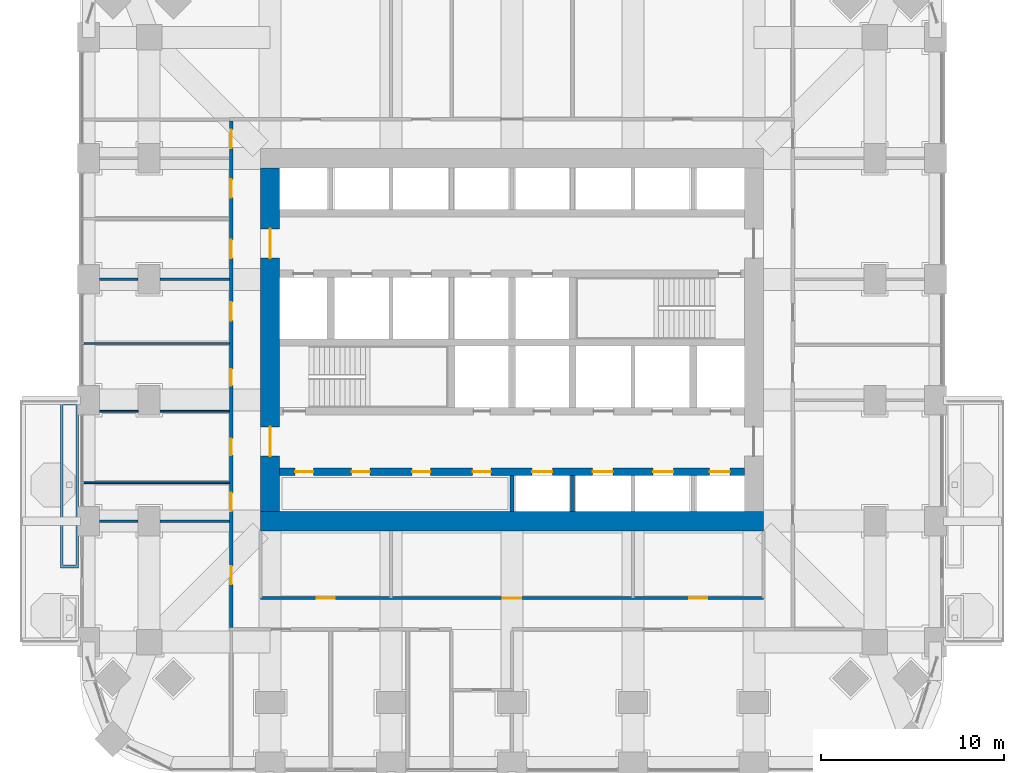
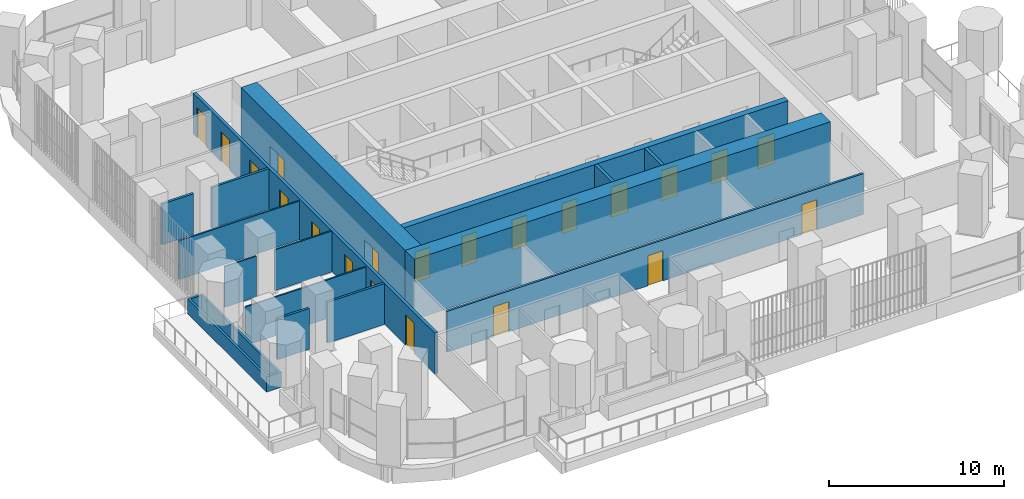
# One storey, part 13 of 21: 21 doors, 16 walls, 21 openings.
"""IFC4 building model written with IfcOpenShell, lengths in metres."""

from ifc_helpers import new_model, si_unit, direction, frame, frame_2d, origin, place, context, subcontext, project, spatial, polyline, rectangle, outline, extrude, material, layer, layer_set, type_object, element, fill, save


model = new_model("IFC4")

# Units and contexts
model_context = context("Model", 3, precision=1e-05, world=origin(), true_north=direction((0.0, 1.0)))
body_context = subcontext(model_context, "Body", "Model", "MODEL_VIEW")
ifc_project = project(units=[si_unit("LENGTHUNIT", "METRE"), si_unit("AREAUNIT", "SQUARE_METRE"), si_unit("VOLUMEUNIT", "CUBIC_METRE"), si_unit("PLANEANGLEUNIT", "RADIAN"), si_unit("MASSUNIT", "GRAM", prefix="KILO")], contexts=[model_context])

# Site, building, storey
site_placement = place(None, origin())
site = spatial("IfcSite", under=ifc_project, at=site_placement, CompositionType="ELEMENT")
building_placement = place(site_placement, origin())
building = spatial("IfcBuilding", under=site, at=building_placement, Name="Cobogo Forest Laboratory Tower", CompositionType="ELEMENT")
storey_placement = place(building_placement, frame((0.0, 0.0, 90.60009765625)))
storey = spatial("IfcBuildingStorey", under=building, at=storey_placement, Name="L20", CompositionType="ELEMENT", Elevation=90.60009765625)

# Wall, openings, doors
ifc_material_1 = material(Name="Concrete HA-50 (C50/60)", Category="concrete")
ifc_layer_1 = layer(ifc_material_1, 0.39990234375)
ifc_layer_set_1 = layer_set([ifc_layer_1], Name="CI400 core inner wall 400")
wall_type_1 = type_object("IfcWallType", Name="CI400 core inner wall 400", PredefinedType="SHEAR", material=ifc_layer_set_1)
wall_1_placement = place(storey_placement, frame((13.72509765625, 15.89990234375, 0.0), z_axis=(0.0, 0.0, 1.0), x_axis=(1.0, 0.0, 0.0)))
wall_1 = element("IfcWall", 1, at=wall_1_placement, inside=storey, type_object=wall_type_1, Name="Core wall CI-15.9 L20", PredefinedType="SHEAR", context=body_context, shape_type="SweptSolid", body=[
    extrude(rectangle(XDim=25.349853515625, YDim=0.39990234375, at=frame_2d((12.6748046875, 0.0))), origin(), (0.0, 0.0, 1.0), 4.199951171875),
])
opening_1_placement = place(wall_1_placement, frame((0.83740234375, 0.0, 0.0)))
opening_1 = element("IfcOpeningElement", 2, at=opening_1_placement, cuts=wall_1, Name="Opening L20-D15", PredefinedType="OPENING", context=body_context, shape_type="SweptSolid", body=[
    extrude(rectangle(XDim=1.0, YDim=2.10009765625, at=frame_2d((0.5, 1.050048828125))), frame((0.0, 0.2099609375, 0.0), z_axis=(0.0, -1.0, 0.0), x_axis=(1.0, 0.0, 0.0)), (0.0, 0.0, 1.0), 0.419921875),
])
opening_2_placement = place(wall_1_placement, frame((3.925048828125, 0.0, 0.0)))
opening_2 = element("IfcOpeningElement", 3, at=opening_2_placement, cuts=wall_1, Name="Opening L20-D16", PredefinedType="OPENING", context=body_context, shape_type="SweptSolid", body=[
    extrude(rectangle(XDim=1.0, YDim=2.10009765625, at=frame_2d((0.5, 1.050048828125))), frame((0.0, 0.2099609375, 0.0), z_axis=(0.0, -1.0, 0.0), x_axis=(1.0, 0.0, 0.0)), (0.0, 0.0, 1.0), 0.419921875),
])
opening_3_placement = place(wall_1_placement, frame((7.22509765625, 0.0, 0.0)))
opening_3 = element("IfcOpeningElement", 4, at=opening_3_placement, cuts=wall_1, Name="Opening L20-D17", PredefinedType="OPENING", context=body_context, shape_type="SweptSolid", body=[
    extrude(rectangle(XDim=1.0, YDim=2.10009765625, at=frame_2d((0.5, 1.050048828125))), frame((0.0, 0.2099609375, 0.0), z_axis=(0.0, -1.0, 0.0), x_axis=(1.0, 0.0, 0.0)), (0.0, 0.0, 1.0), 0.419921875),
])
opening_4_placement = place(wall_1_placement, frame((10.52490234375, 0.0, 0.0)))
opening_4 = element("IfcOpeningElement", 5, at=opening_4_placement, cuts=wall_1, Name="Opening L20-D18", PredefinedType="OPENING", context=body_context, shape_type="SweptSolid", body=[
    extrude(rectangle(XDim=1.0, YDim=2.10009765625, at=frame_2d((0.5, 1.050048828125))), frame((0.0, 0.2099609375, 0.0), z_axis=(0.0, -1.0, 0.0), x_axis=(1.0, 0.0, 0.0)), (0.0, 0.0, 1.0), 0.419921875),
])
opening_5_placement = place(wall_1_placement, frame((13.77490234375, 0.0, 0.0)))
opening_5 = element("IfcOpeningElement", 6, at=opening_5_placement, cuts=wall_1, Name="Opening L20-LD-LB1", PredefinedType="OPENING", context=body_context, shape_type="SweptSolid", body=[
    extrude(rectangle(XDim=1.10009765625, YDim=2.10009765625, at=frame_2d((0.550048828125, 1.050048828125))), frame((0.0, 0.2099609375, 0.0), z_axis=(0.0, -1.0, 0.0), x_axis=(1.0, 0.0, 0.0)), (0.0, 0.0, 1.0), 0.419921875),
])
opening_6_placement = place(wall_1_placement, frame((17.074951171875, 0.0, 0.0)))
opening_6 = element("IfcOpeningElement", 7, at=opening_6_placement, cuts=wall_1, Name="Opening L20-LD-LB2", PredefinedType="OPENING", context=body_context, shape_type="SweptSolid", body=[
    extrude(rectangle(XDim=1.10009765625, YDim=2.10009765625, at=frame_2d((0.550048828125, 1.050048828125))), frame((0.0, 0.2099609375, 0.0), z_axis=(0.0, -1.0, 0.0), x_axis=(1.0, 0.0, 0.0)), (0.0, 0.0, 1.0), 0.419921875),
])
opening_7_placement = place(wall_1_placement, frame((20.375, 0.0, 0.0)))
opening_7 = element("IfcOpeningElement", 8, at=opening_7_placement, cuts=wall_1, Name="Opening L20-LD-LB3", PredefinedType="OPENING", context=body_context, shape_type="SweptSolid", body=[
    extrude(rectangle(XDim=1.10009765625, YDim=2.10009765625, at=frame_2d((0.550048828125, 1.050048828125))), frame((0.0, 0.2099609375, 0.0), z_axis=(0.0, -1.0, 0.0), x_axis=(1.0, 0.0, 0.0)), (0.0, 0.0, 1.0), 0.419921875),
])
opening_8_placement = place(wall_1_placement, frame((23.46240234375, 0.0, 0.0)))
opening_8 = element("IfcOpeningElement", 9, at=opening_8_placement, cuts=wall_1, Name="Opening L20-LD-LB4", PredefinedType="OPENING", context=body_context, shape_type="SweptSolid", body=[
    extrude(rectangle(XDim=1.10009765625, YDim=2.10009765625, at=frame_2d((0.550048828125, 1.050048828125))), frame((0.0, 0.2099609375, 0.0), z_axis=(0.0, -1.0, 0.0), x_axis=(1.0, 0.0, 0.0)), (0.0, 0.0, 1.0), 0.419921875),
])
ifc_material_2 = material(Name="Steel fire door", Category="steel")
door_type_1 = type_object("IfcDoorType", Name="FD1 fire door 1000 EI2 60", OperationType="SINGLE_SWING_LEFT", PredefinedType="DOOR", material=ifc_material_2)
door_1_placement = place(opening_1_placement, origin())
door_1 = element("IfcDoor", 10, at=door_1_placement, inside=storey, type_object=door_type_1, Name="Door L20-SH-LA1", OperationType="SINGLE_SWING_LEFT", OverallHeight=2.10009765625, OverallWidth=1.0, PredefinedType="DOOR", context=body_context, shape_type="SweptSolid", body=[
    extrude(rectangle(XDim=1.0, YDim=2.10009765625, at=frame_2d((0.5, 1.050048828125))), frame((0.0, 0.02490234375, 0.0), z_axis=(0.0, -1.0, 0.0), x_axis=(1.0, 0.0, 0.0)), (0.0, 0.0, 1.0), 0.050048828125),
])
fill(opening_1, door_1)
door_2_placement = place(opening_2_placement, origin())
door_2 = element("IfcDoor", 11, at=door_2_placement, inside=storey, type_object=door_type_1, Name="Door L20-SH-LA2", OperationType="SINGLE_SWING_LEFT", OverallHeight=2.10009765625, OverallWidth=1.0, PredefinedType="DOOR", context=body_context, shape_type="SweptSolid", body=[
    extrude(rectangle(XDim=1.0, YDim=2.10009765625, at=frame_2d((0.5, 1.050048828125))), frame((0.0, 0.02490234375, 0.0), z_axis=(0.0, -1.0, 0.0), x_axis=(1.0, 0.0, 0.0)), (0.0, 0.0, 1.0), 0.050048828125),
])
fill(opening_2, door_2)
door_3_placement = place(opening_3_placement, origin())
door_3 = element("IfcDoor", 12, at=door_3_placement, inside=storey, type_object=door_type_1, Name="Door L20-SH-LA3", OperationType="SINGLE_SWING_LEFT", OverallHeight=2.10009765625, OverallWidth=1.0, PredefinedType="DOOR", context=body_context, shape_type="SweptSolid", body=[
    extrude(rectangle(XDim=1.0, YDim=2.10009765625, at=frame_2d((0.5, 1.050048828125))), frame((0.0, 0.02490234375, 0.0), z_axis=(0.0, -1.0, 0.0), x_axis=(1.0, 0.0, 0.0)), (0.0, 0.0, 1.0), 0.050048828125),
])
fill(opening_3, door_3)
door_4_placement = place(opening_4_placement, origin())
door_4 = element("IfcDoor", 13, at=door_4_placement, inside=storey, type_object=door_type_1, Name="Door L20-SH-LA4", OperationType="SINGLE_SWING_LEFT", OverallHeight=2.10009765625, OverallWidth=1.0, PredefinedType="DOOR", context=body_context, shape_type="SweptSolid", body=[
    extrude(rectangle(XDim=1.0, YDim=2.10009765625, at=frame_2d((0.5, 1.050048828125))), frame((0.0, 0.02490234375, 0.0), z_axis=(0.0, -1.0, 0.0), x_axis=(1.0, 0.0, 0.0)), (0.0, 0.0, 1.0), 0.050048828125),
])
fill(opening_4, door_4)
ifc_material_3 = material(Name="Stainless steel lift door", Category="steel")
door_type_2 = type_object("IfcDoorType", Name="LD lift landing door 1100", OperationType="DOUBLE_DOOR_SLIDING", PredefinedType="DOOR", material=ifc_material_3)
door_5_placement = place(opening_5_placement, origin())
door_5 = element("IfcDoor", 14, at=door_5_placement, inside=storey, type_object=door_type_2, Name="Lift landing door LB1 L20", OperationType="DOUBLE_DOOR_SLIDING", OverallHeight=2.10009765625, OverallWidth=1.10009765625, PredefinedType="DOOR", context=body_context, shape_type="SweptSolid", body=[
    extrude(rectangle(XDim=1.10009765625, YDim=2.10009765625, at=frame_2d((0.550048828125, 1.050048828125))), frame((0.0, 0.02490234375, 0.0), z_axis=(0.0, -1.0, 0.0), x_axis=(1.0, 0.0, 0.0)), (0.0, 0.0, 1.0), 0.050048828125),
])
fill(opening_5, door_5)
door_6_placement = place(opening_6_placement, origin())
door_6 = element("IfcDoor", 15, at=door_6_placement, inside=storey, type_object=door_type_2, Name="Lift landing door LB2 L20", OperationType="DOUBLE_DOOR_SLIDING", OverallHeight=2.10009765625, OverallWidth=1.10009765625, PredefinedType="DOOR", context=body_context, shape_type="SweptSolid", body=[
    extrude(rectangle(XDim=1.10009765625, YDim=2.10009765625, at=frame_2d((0.550048828125, 1.050048828125))), frame((0.0, 0.02490234375, 0.0), z_axis=(0.0, -1.0, 0.0), x_axis=(1.0, 0.0, 0.0)), (0.0, 0.0, 1.0), 0.050048828125),
])
fill(opening_6, door_6)
door_7_placement = place(opening_7_placement, origin())
door_7 = element("IfcDoor", 16, at=door_7_placement, inside=storey, type_object=door_type_2, Name="Lift landing door LB3 L20", OperationType="DOUBLE_DOOR_SLIDING", OverallHeight=2.10009765625, OverallWidth=1.10009765625, PredefinedType="DOOR", context=body_context, shape_type="SweptSolid", body=[
    extrude(rectangle(XDim=1.10009765625, YDim=2.10009765625, at=frame_2d((0.550048828125, 1.050048828125))), frame((0.0, 0.02490234375, 0.0), z_axis=(0.0, -1.0, 0.0), x_axis=(1.0, 0.0, 0.0)), (0.0, 0.0, 1.0), 0.050048828125),
])
fill(opening_7, door_7)
door_8_placement = place(opening_8_placement, origin())
door_8 = element("IfcDoor", 17, at=door_8_placement, inside=storey, type_object=door_type_2, Name="Lift landing door LB4 L20", OperationType="DOUBLE_DOOR_SLIDING", OverallHeight=2.10009765625, OverallWidth=1.10009765625, PredefinedType="DOOR", context=body_context, shape_type="SweptSolid", body=[
    extrude(rectangle(XDim=1.10009765625, YDim=2.10009765625, at=frame_2d((0.550048828125, 1.050048828125))), frame((0.0, 0.02490234375, 0.0), z_axis=(0.0, -1.0, 0.0), x_axis=(1.0, 0.0, 0.0)), (0.0, 0.0, 1.0), 0.050048828125),
])
fill(opening_8, door_8)

# Wall
ifc_layer_2 = layer(ifc_material_1, 1.050048828125)
ifc_layer_set_2 = layer_set([ifc_layer_2], Name="CW1050 core outer wall 1050")
wall_type_2 = type_object("IfcWallType", Name="CW1050 core outer wall 1050", PredefinedType="SHEAR", material=ifc_layer_set_2)
wall_2_placement = place(storey_placement, frame((12.675048828125, 13.199951171875, 0.0), z_axis=(0.0, 0.0, 1.0), x_axis=(1.0, 0.0, 0.0)))
element("IfcWall", 18, at=wall_2_placement, inside=storey, type_object=wall_type_2, Name="Core wall CO-S L20", PredefinedType="SHEAR", context=body_context, shape_type="SweptSolid", body=[
    extrude(rectangle(XDim=27.449951171875, YDim=1.050048828125, at=frame_2d((13.72509765625, 0.0))), origin(), (0.0, 0.0, 1.0), 4.199951171875),
])

# Wall, openings, doors
wall_3_placement = place(storey_placement, frame((13.199951171875, 32.47509765625, 0.0), z_axis=(0.0, 0.0, 1.0), x_axis=(0.0, -1.0, 0.0)))
wall_3 = element("IfcWall", 19, at=wall_3_placement, inside=storey, type_object=wall_type_2, Name="Core wall CO-W L20", PredefinedType="SHEAR", context=body_context, shape_type="SweptSolid", body=[
    extrude(rectangle(XDim=18.75, YDim=1.050048828125, at=frame_2d((9.375, 0.0))), origin(), (0.0, 0.0, 1.0), 4.199951171875),
])
opening_9_placement = place(wall_3_placement, frame((14.125, 0.0, 0.0)))
opening_9 = element("IfcOpeningElement", 20, at=opening_9_placement, cuts=wall_3, Name="Opening L20-D20", PredefinedType="OPENING", context=body_context, shape_type="SweptSolid", body=[
    extrude(rectangle(XDim=1.60009765625, YDim=2.10009765625, at=frame_2d((0.800048828125, 1.050048828125))), frame((0.0, 0.534912109375, 0.0), z_axis=(0.0, -1.0, 0.0), x_axis=(1.0, 0.0, 0.0)), (0.0, 0.0, 1.0), 1.070068359375),
])
opening_10_placement = place(wall_3_placement, frame((3.324951171875, 0.0, 0.0)))
opening_10 = element("IfcOpeningElement", 21, at=opening_10_placement, cuts=wall_3, Name="Opening L20-D31", PredefinedType="OPENING", context=body_context, shape_type="SweptSolid", body=[
    extrude(rectangle(XDim=1.60009765625, YDim=2.10009765625, at=frame_2d((0.800048828125, 1.050048828125))), frame((0.0, 0.534912109375, 0.0), z_axis=(0.0, -1.0, 0.0), x_axis=(1.0, 0.0, 0.0)), (0.0, 0.0, 1.0), 1.070068359375),
])
door_type_3 = type_object("IfcDoorType", Name="DS2 protected lobby door pair 1600 EI2 60", OperationType="DOUBLE_DOOR_DOUBLE_SWING", PredefinedType="DOOR", material=ifc_material_2)
door_9_placement = place(opening_9_placement, origin())
door_9 = element("IfcDoor", 22, at=door_9_placement, inside=storey, type_object=door_type_3, Name="Door L20-CO-W-S", OperationType="DOUBLE_DOOR_DOUBLE_SWING", OverallHeight=2.10009765625, OverallWidth=1.60009765625, PredefinedType="DOOR", context=body_context, shape_type="SweptSolid", body=[
    extrude(rectangle(XDim=1.60009765625, YDim=2.10009765625, at=frame_2d((0.800048828125, 1.050048828125))), frame((0.0, 0.02490234375, 0.0), z_axis=(0.0, -1.0, 0.0), x_axis=(1.0, 0.0, 0.0)), (0.0, 0.0, 1.0), 0.050048828125),
])
fill(opening_9, door_9)
door_10_placement = place(opening_10_placement, origin())
door_10 = element("IfcDoor", 23, at=door_10_placement, inside=storey, type_object=door_type_3, Name="Door L20-CO-W-N", OperationType="DOUBLE_DOOR_DOUBLE_SWING", OverallHeight=2.10009765625, OverallWidth=1.60009765625, PredefinedType="DOOR", context=body_context, shape_type="SweptSolid", body=[
    extrude(rectangle(XDim=1.60009765625, YDim=2.10009765625, at=frame_2d((0.800048828125, 1.050048828125))), frame((0.0, 0.02490234375, 0.0), z_axis=(0.0, -1.0, 0.0), x_axis=(1.0, 0.0, 0.0)), (0.0, 0.0, 1.0), 0.050048828125),
])
fill(opening_10, door_10)

ifc_material_4 = material(Name="Gypsum board on steel studs", Category="steel")
ifc_layer_3 = layer(ifc_material_4, 0.14990234375)
ifc_layer_set_3 = layer_set([ifc_layer_3], Name="PT1 laboratory partition 150")
wall_type_3 = type_object("IfcWallType", Name="PT1 laboratory partition 150", PredefinedType="PARTITIONING", material=ifc_layer_set_3)
wall_4_placement = place(storey_placement, frame((12.675048828125, 9.0, 0.0), z_axis=(0.0, 0.0, 1.0), x_axis=(1.0, 0.0, 0.0)))
wall_4 = element("IfcWall", 24, at=wall_4_placement, inside=storey, type_object=wall_type_3, Name="Partition CSTRIP-S L20", PredefinedType="PARTITIONING", context=body_context, shape_type="SweptSolid", body=[
    extrude(rectangle(XDim=27.449951171875, YDim=0.14990234375, at=frame_2d((13.72509765625, 0.0))), origin(), (0.0, 0.0, 1.0), 2.849853515625),
])
opening_11_placement = place(wall_4_placement, frame((3.0625, 0.0, 0.0)))
opening_11 = element("IfcOpeningElement", 25, at=opening_11_placement, cuts=wall_4, Name="Opening L20-D07", PredefinedType="OPENING", context=body_context, shape_type="SweptSolid", body=[
    extrude(rectangle(XDim=1.0, YDim=2.10009765625, at=frame_2d((0.5, 1.050048828125))), frame((0.0, 0.0849609375, 0.0), z_axis=(0.0, -1.0, 0.0), x_axis=(1.0, 0.0, 0.0)), (0.0, 0.0, 1.0), 0.169921875),
])
opening_12_placement = place(wall_4_placement, frame((13.22509765625, 0.0, 0.0)))
opening_12 = element("IfcOpeningElement", 26, at=opening_12_placement, cuts=wall_4, Name="Opening L20-D08", PredefinedType="OPENING", context=body_context, shape_type="SweptSolid", body=[
    extrude(rectangle(XDim=1.0, YDim=2.10009765625, at=frame_2d((0.5, 1.050048828125))), frame((0.0, 0.0849609375, 0.0), z_axis=(0.0, -1.0, 0.0), x_axis=(1.0, 0.0, 0.0)), (0.0, 0.0, 1.0), 0.169921875),
])
opening_13_placement = place(wall_4_placement, frame((23.387451171875, 0.0, 0.0)))
opening_13 = element("IfcOpeningElement", 27, at=opening_13_placement, cuts=wall_4, Name="Opening L20-D09", PredefinedType="OPENING", context=body_context, shape_type="SweptSolid", body=[
    extrude(rectangle(XDim=1.0, YDim=2.10009765625, at=frame_2d((0.5, 1.050048828125))), frame((0.0, 0.0849609375, 0.0), z_axis=(0.0, -1.0, 0.0), x_axis=(1.0, 0.0, 0.0)), (0.0, 0.0, 1.0), 0.169921875),
])
ifc_material_5 = material(Name="Timber fire door", Category="wood")
door_type_4 = type_object("IfcDoorType", Name="FD2 fire door 1000 EI2 30", OperationType="SINGLE_SWING_LEFT", PredefinedType="DOOR", material=ifc_material_5)
door_11_placement = place(opening_11_placement, origin())
door_11 = element("IfcDoor", 28, at=door_11_placement, inside=storey, type_object=door_type_4, Name="Door L20-CSS1", OperationType="SINGLE_SWING_LEFT", OverallHeight=2.10009765625, OverallWidth=1.0, PredefinedType="DOOR", context=body_context, shape_type="SweptSolid", body=[
    extrude(rectangle(XDim=1.0, YDim=2.10009765625, at=frame_2d((0.5, 1.050048828125))), frame((0.0, 0.02490234375, 0.0), z_axis=(0.0, -1.0, 0.0), x_axis=(1.0, 0.0, 0.0)), (0.0, 0.0, 1.0), 0.050048828125),
])
fill(opening_11, door_11)
door_12_placement = place(opening_12_placement, origin())
door_12 = element("IfcDoor", 29, at=door_12_placement, inside=storey, type_object=door_type_4, Name="Door L20-CSS2", OperationType="SINGLE_SWING_LEFT", OverallHeight=2.10009765625, OverallWidth=1.0, PredefinedType="DOOR", context=body_context, shape_type="SweptSolid", body=[
    extrude(rectangle(XDim=1.0, YDim=2.10009765625, at=frame_2d((0.5, 1.050048828125))), frame((0.0, 0.02490234375, 0.0), z_axis=(0.0, -1.0, 0.0), x_axis=(1.0, 0.0, 0.0)), (0.0, 0.0, 1.0), 0.050048828125),
])
fill(opening_12, door_12)
door_13_placement = place(opening_13_placement, origin())
door_13 = element("IfcDoor", 30, at=door_13_placement, inside=storey, type_object=door_type_4, Name="Door L20-CSS3", OperationType="SINGLE_SWING_RIGHT", OverallHeight=2.10009765625, OverallWidth=1.0, PredefinedType="DOOR", context=body_context, shape_type="SweptSolid", body=[
    extrude(rectangle(XDim=1.0, YDim=2.10009765625, at=frame_2d((0.5, 1.050048828125))), frame((0.0, 0.02490234375, 0.0), z_axis=(0.0, -1.0, 0.0), x_axis=(1.0, 0.0, 0.0)), (0.0, 0.0, 1.0), 0.050048828125),
])
fill(opening_13, door_13)

# Walls
wall_5_placement = place(storey_placement, frame((3.89990234375, 13.199951171875, 0.0), z_axis=(0.0, 0.0, 1.0), x_axis=(1.0, 0.0, 0.0)))
element("IfcWall", 31, at=wall_5_placement, inside=storey, type_object=wall_type_3, Name="Partition CUT-W13.2-1 L20", PredefinedType="PARTITIONING", context=body_context, shape_type="SweptSolid", body=[
    extrude(rectangle(XDim=2.10009765625, YDim=0.14990234375, at=frame_2d((1.050048828125, 0.0))), origin(), (0.0, 0.0, 1.0), 2.849853515625),
])
wall_6_placement = place(storey_placement, frame((7.199951171875, 13.199951171875, 0.0), z_axis=(0.0, 0.0, 1.0), x_axis=(1.0, 0.0, 0.0)))
element("IfcWall", 32, at=wall_6_placement, inside=storey, type_object=wall_type_3, Name="Partition CUT-W13.2-2 L20", PredefinedType="PARTITIONING", context=body_context, shape_type="SweptSolid", body=[
    extrude(rectangle(XDim=3.775146484375, YDim=0.14990234375, at=frame_2d((1.8876953125, 0.0))), origin(), (0.0, 0.0, 1.0), 2.849853515625),
])
wall_7_placement = place(storey_placement, frame((3.89990234375, 26.39990234375, 0.0), z_axis=(0.0, 0.0, 1.0), x_axis=(1.0, 0.0, 0.0)))
element("IfcWall", 33, at=wall_7_placement, inside=storey, type_object=wall_type_3, Name="Partition CUT-W26.4-1 L20", PredefinedType="PARTITIONING", context=body_context, shape_type="SweptSolid", body=[
    extrude(rectangle(XDim=2.10009765625, YDim=0.14990234375, at=frame_2d((1.050048828125, 0.0))), origin(), (0.0, 0.0, 1.0), 2.849853515625),
])
wall_8_placement = place(storey_placement, frame((7.199951171875, 26.39990234375, 0.0), z_axis=(0.0, 0.0, 1.0), x_axis=(1.0, 0.0, 0.0)))
element("IfcWall", 34, at=wall_8_placement, inside=storey, type_object=wall_type_3, Name="Partition CUT-W26.4-2 L20", PredefinedType="PARTITIONING", context=body_context, shape_type="SweptSolid", body=[
    extrude(rectangle(XDim=3.775146484375, YDim=0.14990234375, at=frame_2d((1.8876953125, 0.0))), origin(), (0.0, 0.0, 1.0), 2.849853515625),
])

# Wall, openings, doors
ifc_layer_4 = layer(ifc_material_4, 0.199951171875)
ifc_layer_set_4 = layer_set([ifc_layer_4], Name="PT2 fire-rated corridor partition 200")
wall_type_4 = type_object("IfcWallType", Name="PT2 fire-rated corridor partition 200", PredefinedType="PARTITIONING", material=ifc_layer_set_4)
wall_9_placement = place(storey_placement, frame((11.074951171875, 7.39990234375, 0.0), z_axis=(0.0, 0.0, 1.0), x_axis=(0.0, 1.0, 0.0)))
wall_9 = element("IfcWall", 35, at=wall_9_placement, inside=storey, type_object=wall_type_4, Name="Partition CORR-W L20", PredefinedType="PARTITIONING", context=body_context, shape_type="SweptSolid", body=[
    extrude(rectangle(XDim=27.625, YDim=0.199951171875, at=frame_2d((13.8125, 0.0))), origin(), (0.0, 0.0, 1.0), 2.849853515625),
])
opening_14_placement = place(wall_9_placement, frame((2.35009765625, 0.0, 0.0)))
opening_14 = element("IfcOpeningElement", 36, at=opening_14_placement, cuts=wall_9, Name="Opening L20-D10", PredefinedType="OPENING", context=body_context, shape_type="SweptSolid", body=[
    extrude(rectangle(XDim=1.0, YDim=2.10009765625, at=frame_2d((0.5, 1.050048828125))), frame((0.0, 0.10986328125, 0.0), z_axis=(0.0, -1.0, 0.0), x_axis=(1.0, 0.0, 0.0)), (0.0, 0.0, 1.0), 0.219970703125),
])
opening_15_placement = place(wall_9_placement, frame((6.35009765625, 0.0, 0.0)))
opening_15 = element("IfcOpeningElement", 37, at=opening_15_placement, cuts=wall_9, Name="Opening L20-D14", PredefinedType="OPENING", context=body_context, shape_type="SweptSolid", body=[
    extrude(rectangle(XDim=1.0, YDim=2.10009765625, at=frame_2d((0.5, 1.050048828125))), frame((0.0, 0.10986328125, 0.0), z_axis=(0.0, -1.0, 0.0), x_axis=(1.0, 0.0, 0.0)), (0.0, 0.0, 1.0), 0.219970703125),
])
opening_16_placement = place(wall_9_placement, frame((9.39990234375, 0.0, 0.0)))
opening_16 = element("IfcOpeningElement", 38, at=opening_16_placement, cuts=wall_9, Name="Opening L20-D19", PredefinedType="OPENING", context=body_context, shape_type="SweptSolid", body=[
    extrude(rectangle(XDim=0.89990234375, YDim=2.10009765625, at=frame_2d((0.449951171875, 1.050048828125))), frame((0.0, 0.10986328125, 0.0), z_axis=(0.0, -1.0, 0.0), x_axis=(1.0, 0.0, 0.0)), (0.0, 0.0, 1.0), 0.219970703125),
])
opening_17_placement = place(wall_9_placement, frame((13.199951171875, 0.0, 0.0)))
opening_17 = element("IfcOpeningElement", 39, at=opening_17_placement, cuts=wall_9, Name="Opening L20-D25", PredefinedType="OPENING", context=body_context, shape_type="SweptSolid", body=[
    extrude(rectangle(XDim=0.89990234375, YDim=2.10009765625, at=frame_2d((0.449951171875, 1.050048828125))), frame((0.0, 0.10986328125, 0.0), z_axis=(0.0, -1.0, 0.0), x_axis=(1.0, 0.0, 0.0)), (0.0, 0.0, 1.0), 0.219970703125),
])
opening_18_placement = place(wall_9_placement, frame((16.75, 0.0, 0.0)))
opening_18 = element("IfcOpeningElement", 40, at=opening_18_placement, cuts=wall_9, Name="Opening L20-D28", PredefinedType="OPENING", context=body_context, shape_type="SweptSolid", body=[
    extrude(rectangle(XDim=1.0, YDim=2.10009765625, at=frame_2d((0.5, 1.050048828125))), frame((0.0, 0.10986328125, 0.0), z_axis=(0.0, -1.0, 0.0), x_axis=(1.0, 0.0, 0.0)), (0.0, 0.0, 1.0), 0.219970703125),
])
opening_19_placement = place(wall_9_placement, frame((20.14990234375, 0.0, 0.0)))
opening_19 = element("IfcOpeningElement", 41, at=opening_19_placement, cuts=wall_9, Name="Opening L20-D30", PredefinedType="OPENING", context=body_context, shape_type="SweptSolid", body=[
    extrude(rectangle(XDim=1.0, YDim=2.10009765625, at=frame_2d((0.5, 1.050048828125))), frame((0.0, 0.10986328125, 0.0), z_axis=(0.0, -1.0, 0.0), x_axis=(1.0, 0.0, 0.0)), (0.0, 0.0, 1.0), 0.219970703125),
])
opening_20_placement = place(wall_9_placement, frame((23.449951171875, 0.0, 0.0)))
opening_20 = element("IfcOpeningElement", 42, at=opening_20_placement, cuts=wall_9, Name="Opening L20-D34", PredefinedType="OPENING", context=body_context, shape_type="SweptSolid", body=[
    extrude(rectangle(XDim=1.0, YDim=2.10009765625, at=frame_2d((0.5, 1.050048828125))), frame((0.0, 0.10986328125, 0.0), z_axis=(0.0, -1.0, 0.0), x_axis=(1.0, 0.0, 0.0)), (0.0, 0.0, 1.0), 0.219970703125),
])
opening_21_placement = place(wall_9_placement, frame((26.16259765625, 0.0, 0.0)))
opening_21 = element("IfcOpeningElement", 43, at=opening_21_placement, cuts=wall_9, Name="Opening L20-D35", PredefinedType="OPENING", context=body_context, shape_type="SweptSolid", body=[
    extrude(rectangle(XDim=1.0, YDim=2.10009765625, at=frame_2d((0.5, 1.050048828125))), frame((0.0, 0.10986328125, 0.0), z_axis=(0.0, -1.0, 0.0), x_axis=(1.0, 0.0, 0.0)), (0.0, 0.0, 1.0), 0.219970703125),
])
door_14_placement = place(opening_14_placement, origin())
door_14 = element("IfcDoor", 44, at=door_14_placement, inside=storey, type_object=door_type_4, Name="Door L20-W1", OperationType="SINGLE_SWING_LEFT", OverallHeight=2.10009765625, OverallWidth=1.0, PredefinedType="DOOR", context=body_context, shape_type="SweptSolid", body=[
    extrude(rectangle(XDim=1.0, YDim=2.10009765625, at=frame_2d((0.5, 1.050048828125))), frame((0.0, 0.02490234375, 0.0), z_axis=(0.0, -1.0, 0.0), x_axis=(1.0, 0.0, 0.0)), (0.0, 0.0, 1.0), 0.050048828125),
])
fill(opening_14, door_14)
door_15_placement = place(opening_18_placement, origin())
door_15 = element("IfcDoor", 45, at=door_15_placement, inside=storey, type_object=door_type_4, Name="Door L20-SHW", OperationType="SINGLE_SWING_RIGHT", OverallHeight=2.10009765625, OverallWidth=1.0, PredefinedType="DOOR", context=body_context, shape_type="SweptSolid", body=[
    extrude(rectangle(XDim=1.0, YDim=2.10009765625, at=frame_2d((0.5, 1.050048828125))), frame((0.0, 0.02490234375, 0.0), z_axis=(0.0, -1.0, 0.0), x_axis=(1.0, 0.0, 0.0)), (0.0, 0.0, 1.0), 0.050048828125),
])
fill(opening_18, door_15)
door_16_placement = place(opening_19_placement, origin())
door_16 = element("IfcDoor", 46, at=door_16_placement, inside=storey, type_object=door_type_4, Name="Door L20-W3", OperationType="SINGLE_SWING_RIGHT", OverallHeight=2.10009765625, OverallWidth=1.0, PredefinedType="DOOR", context=body_context, shape_type="SweptSolid", body=[
    extrude(rectangle(XDim=1.0, YDim=2.10009765625, at=frame_2d((0.5, 1.050048828125))), frame((0.0, 0.02490234375, 0.0), z_axis=(0.0, -1.0, 0.0), x_axis=(1.0, 0.0, 0.0)), (0.0, 0.0, 1.0), 0.050048828125),
])
fill(opening_19, door_16)
door_17_placement = place(opening_20_placement, origin())
door_17 = element("IfcDoor", 47, at=door_17_placement, inside=storey, type_object=door_type_4, Name="Door L20-W4", OperationType="SINGLE_SWING_RIGHT", OverallHeight=2.10009765625, OverallWidth=1.0, PredefinedType="DOOR", context=body_context, shape_type="SweptSolid", body=[
    extrude(rectangle(XDim=1.0, YDim=2.10009765625, at=frame_2d((0.5, 1.050048828125))), frame((0.0, 0.02490234375, 0.0), z_axis=(0.0, -1.0, 0.0), x_axis=(1.0, 0.0, 0.0)), (0.0, 0.0, 1.0), 0.050048828125),
])
fill(opening_20, door_17)
door_18_placement = place(opening_21_placement, origin())
door_18 = element("IfcDoor", 48, at=door_18_placement, inside=storey, type_object=door_type_4, Name="Door L20-W5", OperationType="SINGLE_SWING_RIGHT", OverallHeight=2.10009765625, OverallWidth=1.0, PredefinedType="DOOR", context=body_context, shape_type="SweptSolid", body=[
    extrude(rectangle(XDim=1.0, YDim=2.10009765625, at=frame_2d((0.5, 1.050048828125))), frame((0.0, 0.02490234375, 0.0), z_axis=(0.0, -1.0, 0.0), x_axis=(1.0, 0.0, 0.0)), (0.0, 0.0, 1.0), 0.050048828125),
])
fill(opening_21, door_18)
door_type_5 = type_object("IfcDoorType", Name="FD3 toilet fire door 900 EI2 30", OperationType="SINGLE_SWING_LEFT", PredefinedType="DOOR", material=ifc_material_5)
door_19_placement = place(opening_16_placement, origin())
door_19 = element("IfcDoor", 49, at=door_19_placement, inside=storey, type_object=door_type_5, Name="Door L20-WCF", OperationType="SINGLE_SWING_LEFT", OverallHeight=2.10009765625, OverallWidth=0.89990234375, PredefinedType="DOOR", context=body_context, shape_type="SweptSolid", body=[
    extrude(rectangle(XDim=0.89990234375, YDim=2.10009765625, at=frame_2d((0.449951171875, 1.050048828125))), frame((0.0, 0.02490234375, 0.0), z_axis=(0.0, -1.0, 0.0), x_axis=(1.0, 0.0, 0.0)), (0.0, 0.0, 1.0), 0.050048828125),
])
fill(opening_16, door_19)
door_20_placement = place(opening_17_placement, origin())
door_20 = element("IfcDoor", 50, at=door_20_placement, inside=storey, type_object=door_type_5, Name="Door L20-WCM", OperationType="SINGLE_SWING_LEFT", OverallHeight=2.10009765625, OverallWidth=0.89990234375, PredefinedType="DOOR", context=body_context, shape_type="SweptSolid", body=[
    extrude(rectangle(XDim=0.89990234375, YDim=2.10009765625, at=frame_2d((0.449951171875, 1.050048828125))), frame((0.0, 0.02490234375, 0.0), z_axis=(0.0, -1.0, 0.0), x_axis=(1.0, 0.0, 0.0)), (0.0, 0.0, 1.0), 0.050048828125),
])
fill(opening_17, door_20)
door_type_6 = type_object("IfcDoorType", Name="FDA1 accessible toilet fire door 1000 EI2 30", OperationType="SINGLE_SWING_RIGHT", PredefinedType="DOOR", material=ifc_material_5)
door_21_placement = place(opening_15_placement, origin())
door_21 = element("IfcDoor", 51, at=door_21_placement, inside=storey, type_object=door_type_6, Name="Door L20-WCA", OperationType="SINGLE_SWING_LEFT", OverallHeight=2.10009765625, OverallWidth=1.0, PredefinedType="DOOR", context=body_context, shape_type="SweptSolid", body=[
    extrude(rectangle(XDim=1.0, YDim=2.10009765625, at=frame_2d((0.5, 1.050048828125))), frame((0.0, 0.02490234375, 0.0), z_axis=(0.0, -1.0, 0.0), x_axis=(1.0, 0.0, 0.0)), (0.0, 0.0, 1.0), 0.050048828125),
])
fill(opening_15, door_21)

# Walls
ifc_layer_5 = layer(ifc_material_4, 0.10009765625)
ifc_layer_set_5 = layer_set([ifc_layer_5], Name="PT3 toilet partition 100")
wall_type_5 = type_object("IfcWallType", Name="PT3 toilet partition 100", PredefinedType="PARTITIONING", material=ifc_layer_set_5)
wall_10_placement = place(storey_placement, frame((3.030029296875, 15.300048828125, 0.0), z_axis=(0.0, 0.0, 1.0), x_axis=(1.0, 0.0, 0.0)))
element("IfcWall", 52, at=wall_10_placement, inside=storey, type_object=wall_type_5, Name="Partition SVC-W1-1 L20", PredefinedType="PARTITIONING", context=body_context, shape_type="SweptSolid", body=[
    extrude(rectangle(XDim=7.945068359375, YDim=0.10009765625, at=frame_2d((3.97265625, 0.0))), origin(), (0.0, 0.0, 1.0), 2.699951171875),
])
wall_11_placement = place(storey_placement, frame((3.89990234375, 19.199951171875, 0.0), z_axis=(0.0, 0.0, 1.0), x_axis=(1.0, 0.0, 0.0)))
element("IfcWall", 53, at=wall_11_placement, inside=storey, type_object=wall_type_5, Name="Partition SVC-W2-1 L20", PredefinedType="PARTITIONING", context=body_context, shape_type="SweptSolid", body=[
    extrude(rectangle(XDim=2.10009765625, YDim=0.10009765625, at=frame_2d((1.050048828125, 0.0))), origin(), (0.0, 0.0, 1.0), 2.849853515625),
])
wall_12_placement = place(storey_placement, frame((7.199951171875, 19.199951171875, 0.0), z_axis=(0.0, 0.0, 1.0), x_axis=(1.0, 0.0, 0.0)))
element("IfcWall", 54, at=wall_12_placement, inside=storey, type_object=wall_type_5, Name="Partition SVC-W2-2 L20", PredefinedType="PARTITIONING", context=body_context, shape_type="SweptSolid", body=[
    extrude(rectangle(XDim=3.775146484375, YDim=0.10009765625, at=frame_2d((1.8876953125, 0.0))), origin(), (0.0, 0.0, 1.0), 2.849853515625),
])
wall_13_placement = place(storey_placement, frame((3.030029296875, 22.89990234375, 0.0), z_axis=(0.0, 0.0, 1.0), x_axis=(1.0, 0.0, 0.0)))
element("IfcWall", 55, at=wall_13_placement, inside=storey, type_object=wall_type_5, Name="Partition SVC-W3-1 L20", PredefinedType="PARTITIONING", context=body_context, shape_type="SweptSolid", body=[
    extrude(rectangle(XDim=7.945068359375, YDim=0.10009765625, at=frame_2d((3.97265625, 0.0))), origin(), (0.0, 0.0, 1.0), 2.699951171875),
])
ifc_material_6 = material(Name="Concrete HA-40 (C40/50)", Category="concrete")
ifc_layer_6 = layer(ifc_material_6, 0.14990234375)
ifc_layer_set_6 = layer_set([ifc_layer_6], Name="Planter box 1000x1050")
wall_type_6 = type_object("IfcWallType", Name="Planter box 1000x1050", PredefinedType="USERDEFINED", material=ifc_layer_set_6)
wall_14_placement = place(storey_placement, origin())
element("IfcWall", 56, at=wall_14_placement, inside=storey, type_object=wall_type_6, Name="Planter BAL-W1-2 L20", ObjectType="PLANTER", PredefinedType="USERDEFINED", context=body_context, shape_type="SweptSolid", body=[
    extrude(outline(polyline([(1.75, 10.64990234375), (2.75, 10.64990234375), (2.75, 19.699951171875), (1.75, 19.699951171875), (1.75, 10.64990234375)]), holes=[polyline([(1.89990234375, 10.800048828125), (2.60009765625, 10.800048828125), (2.60009765625, 19.550048828125), (1.89990234375, 19.550048828125), (1.89990234375, 10.800048828125)])]), origin(), (0.0, 0.0, 1.0), 1.0498046875),
])
ifc_material_7 = material(Name="Concrete block", Category="concrete")
ifc_layer_7 = layer(ifc_material_7, 0.199951171875)
ifc_layer_set_7 = layer_set([ifc_layer_7], Name="SW200 lift shaft separator 200")
wall_type_7 = type_object("IfcWallType", Name="SW200 lift shaft separator 200", PredefinedType="PARTITIONING", material=ifc_layer_set_7)
for number, where, z_axis, x_axis, name in (
    (57, (26.39990234375, 13.72509765625, 0.0), (0.0, 0.0, 1.0), (0.0, 1.0, 0.0), "Core wall SEP-S4 L20"),
    (58, (29.699951171875, 13.72509765625, 0.0), (0.0, 0.0, 1.0), (0.0, 1.0, 0.0), "Core wall SEP-S5 L20"),
):
    element("IfcWall", number, at=place(storey_placement, frame(where, z_axis=z_axis, x_axis=x_axis)), inside=storey, type_object=wall_type_7, Name=name, PredefinedType="PARTITIONING", context=body_context, shape_type="SweptSolid", body=[
        extrude(rectangle(XDim=1.974853515625, YDim=0.199951171875, at=frame_2d((0.9873046875, 0.0))), origin(), (0.0, 0.0, 1.0), 4.199951171875),
    ])

save(model, "model.ifc")
